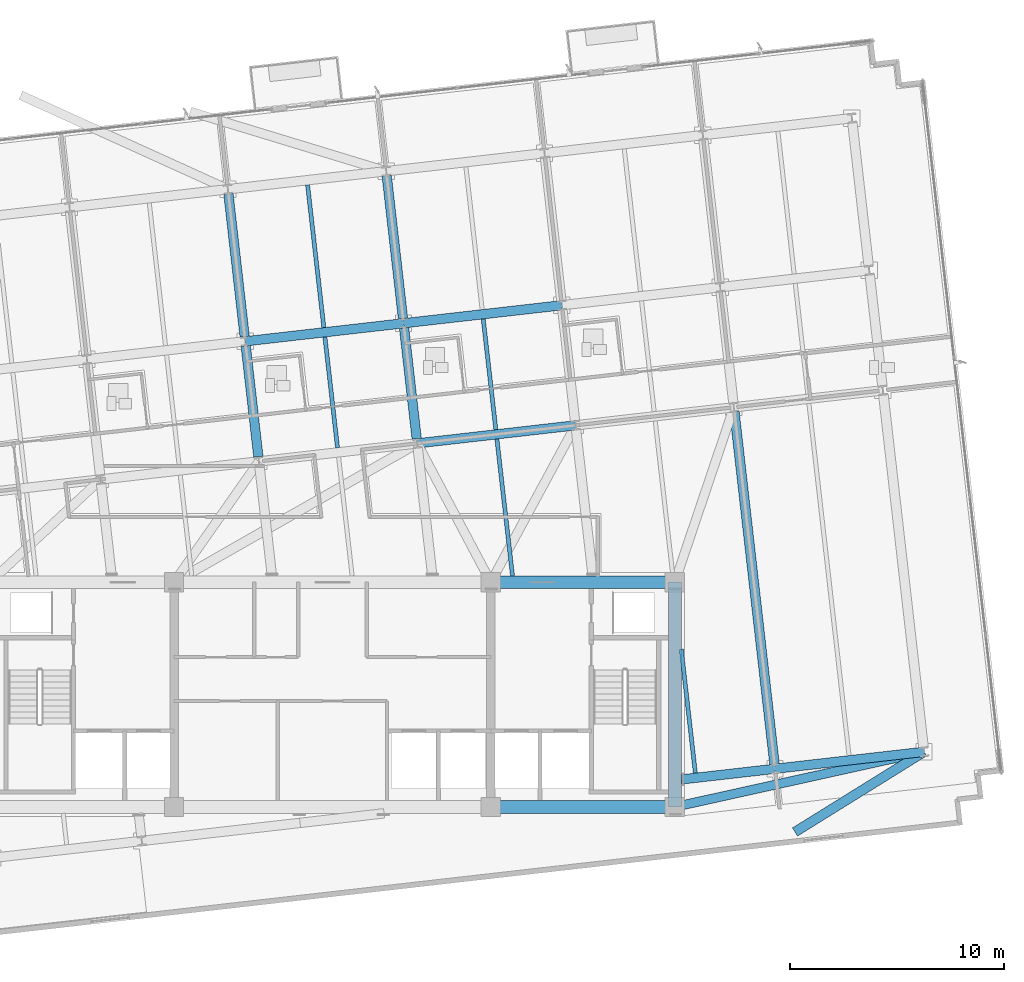
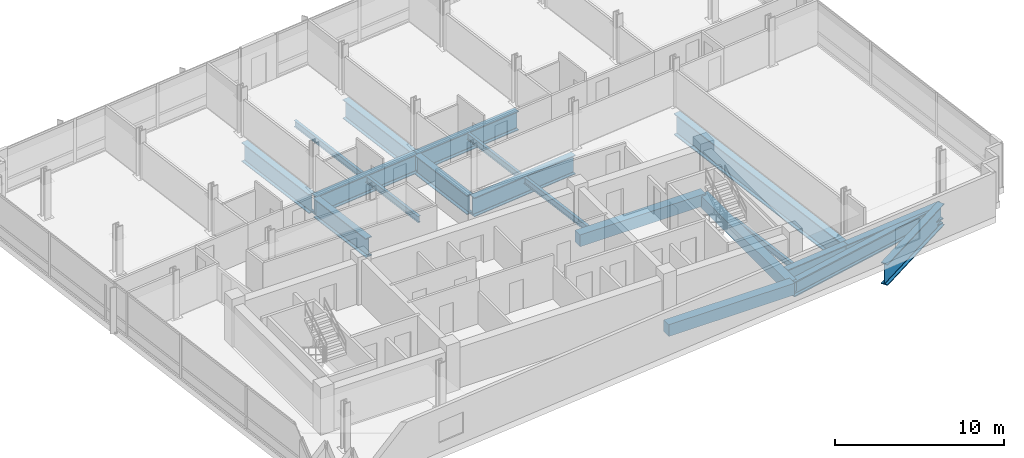
# One storey, part 3 of 15: 20 beams.
"""IFC4 building model written with IfcOpenShell, lengths in metres."""

from ifc_helpers import new_model, si_unit, direction, frame, origin, origin_2d, place, context, subcontext, project, spatial, rectangle, i_section, extrude, material, material_profile, profile_set, type_object, element, save


model = new_model("IFC4")

# Units and contexts
model_context = context("Model", 3, precision=1e-05, world=origin(), true_north=direction((0.0, 1.0)))
body_context = subcontext(model_context, "Body", "Model", "MODEL_VIEW")
ifc_project = project(units=[si_unit("LENGTHUNIT", "METRE"), si_unit("AREAUNIT", "SQUARE_METRE"), si_unit("VOLUMEUNIT", "CUBIC_METRE"), si_unit("PLANEANGLEUNIT", "RADIAN"), si_unit("MASSUNIT", "GRAM", prefix="KILO")], contexts=[model_context])

# Site, building, storey
site_placement = place(None, origin())
site = spatial("IfcSite", under=ifc_project, at=site_placement, CompositionType="ELEMENT")
building_placement = place(site_placement, origin())
building = spatial("IfcBuilding", under=site, at=building_placement, Name="Solmavex Isthmus Hotel", CompositionType="ELEMENT")
storey_placement = place(building_placement, frame((0.0, 0.0, 191.699951171875)))
storey = spatial("IfcBuildingStorey", under=building, at=storey_placement, Name="L51", CompositionType="ELEMENT", Elevation=191.699951171875)

# Beams
ifc_material_1 = material(Name="Steel ASTM A992 Grade 50", Category="steel")
ifc_material_profile_1 = material_profile(ifc_material_1, i_section(OverallWidth=0.1904296875, OverallDepth=0.456787109375, WebThickness=0.009033203125, FlangeThickness=0.014404296875, FilletRadius=0.0126953125, at=origin_2d()), Name="W18X50")
ifc_profile_set_1 = profile_set([ifc_material_profile_1], Name="Steel ASTM A992 Grade 50")
beam_type_1 = type_object("IfcBeamType", Name="BM-BJ-W18X50", PredefinedType="JOIST", material=ifc_profile_set_1)
beam_1_placement = place(storey_placement, frame((0.23828125, 3.78369140625, -0.678466796875), z_axis=(-0.113209451059, 0.993571145007, 0.0), x_axis=(-0.993571145007, -0.113209451059, 0.0)))
element("IfcBeam", 1, at=beam_1_placement, inside=storey, type_object=beam_type_1, Name="Secondary Floor Joist L51-J09", PredefinedType="JOIST", context=body_context, shape_type="SweptSolid", body=[
    extrude(i_section(OverallWidth=0.1904296875, OverallDepth=0.456787109375, WebThickness=0.009033203125, FlangeThickness=0.014404296875, FilletRadius=0.0126953125, at=origin_2d()), origin(), (0.0, 0.0, 1.0), 5.2080078125),
])
beam_2_placement = place(storey_placement, frame((-0.401123046875, 9.395263671875, -0.678466796875), z_axis=(-0.11319369562, 0.993572940086, 0.0), x_axis=(-0.993572940086, -0.11319369562, 0.0)))
element("IfcBeam", 2, at=beam_2_placement, inside=storey, type_object=beam_type_1, Name="Secondary Floor Joist L51-J10", PredefinedType="JOIST", context=body_context, shape_type="SweptSolid", body=[
    extrude(i_section(OverallWidth=0.1904296875, OverallDepth=0.456787109375, WebThickness=0.009033203125, FlangeThickness=0.014404296875, FilletRadius=0.0126953125, at=origin_2d()), origin(), (0.0, 0.0, 1.0), 6.712158203125),
])
beam_3_placement = place(storey_placement, frame((8.414306640625, -2.199951171875, -0.678466796875), z_axis=(-0.113210379389, 0.993571039231, 0.0), x_axis=(-0.993571039231, -0.113210379389, 0.0)))
element("IfcBeam", 3, at=beam_3_placement, inside=storey, type_object=beam_type_1, Name="Secondary Floor Joist L51-J11", PredefinedType="JOIST", context=body_context, shape_type="SweptSolid", body=[
    extrude(i_section(OverallWidth=0.1904296875, OverallDepth=0.456787109375, WebThickness=0.009033203125, FlangeThickness=0.014404296875, FilletRadius=0.0126953125, at=origin_2d()), origin(), (0.0, 0.0, 1.0), 6.4306640625),
])
beam_4_placement = place(storey_placement, frame((7.636474609375, 4.62646484375, -0.678466796875), z_axis=(-0.113209451059, 0.993571145007, 0.0), x_axis=(-0.993571145007, -0.113209451059, 0.0)))
element("IfcBeam", 4, at=beam_4_placement, inside=storey, type_object=beam_type_1, Name="Secondary Floor Joist L51-J12", PredefinedType="JOIST", context=body_context, shape_type="SweptSolid", body=[
    extrude(i_section(OverallWidth=0.1904296875, OverallDepth=0.456787109375, WebThickness=0.009033203125, FlangeThickness=0.014404296875, FilletRadius=0.0126953125, at=origin_2d()), origin(), (0.0, 0.0, 1.0), 5.2080078125),
])
beam_5_placement = place(storey_placement, frame((16.958984375, -11.42138671875, -0.678466796875), z_axis=(-0.113183493111, 0.993574102363, 0.0), x_axis=(-0.993574102363, -0.113183493111, 0.0)))
element("IfcBeam", 5, at=beam_5_placement, inside=storey, type_object=beam_type_1, Name="Secondary Floor Joist L51-J14", PredefinedType="JOIST", context=body_context, shape_type="SweptSolid", body=[
    extrude(i_section(OverallWidth=0.1904296875, OverallDepth=0.456787109375, WebThickness=0.009033203125, FlangeThickness=0.014404296875, FilletRadius=0.0126953125, at=origin_2d()), origin(), (0.0, 0.0, 1.0), 5.82177734375),
])
ifc_material_2 = material(Name="Concrete C50/60", Category="concrete")
ifc_material_profile_2 = material_profile(ifc_material_2, rectangle(XDim=0.60009765625, YDim=0.85009765625, at=origin_2d()), Name="RC600X850")
ifc_profile_set_2 = profile_set([ifc_material_profile_2], Name="Concrete C50/60")
beam_type_2 = type_object("IfcBeamType", Name="BM-CB-600X850", PredefinedType="BEAM", material=ifc_profile_set_2)
for number, where, z_axis, x_axis, name in (
    (6, (7.39990234375, -13.0, -0.875), (1.0, 0.0, 0.0), (0.0, 1.0, 0.0), "Core Coupling Beam L51-CB3"),
    (7, (7.39990234375, -2.5, -0.764892578125), (1.0, 0.0, 0.0), (0.0, 1.0, 0.0), "Core Coupling Beam L51-CB6"),
):
    element("IfcBeam", number, at=place(storey_placement, frame(where, z_axis=z_axis, x_axis=x_axis)), inside=storey, type_object=beam_type_2, Name=name, PredefinedType="BEAM", context=body_context, shape_type="SweptSolid", body=[
        extrude(rectangle(XDim=0.60009765625, YDim=0.85009765625, at=origin_2d()), origin(), (0.0, 0.0, 1.0), 8.60009765625),
    ])
beam_6_placement = place(storey_placement, frame((16.0, -13.0, -0.875), z_axis=(0.0, 1.0, 0.0), x_axis=(-1.0, 0.0, 0.0)))
element("IfcBeam", 8, at=beam_6_placement, inside=storey, type_object=beam_type_2, Name="Core Coupling Beam L51-CB8", PredefinedType="BEAM", context=body_context, shape_type="SweptSolid", body=[
    extrude(rectangle(XDim=0.60009765625, YDim=0.85009765625, at=origin_2d()), origin(), (0.0, 0.0, 1.0), 10.5),
])
ifc_material_3 = material(Name="Steel ASTM A572 Grade 50", Category="steel")
ifc_material_profile_3 = material_profile(ifc_material_3, i_section(OverallWidth=0.449951171875, OverallDepth=1.550048828125, WebThickness=0.031982421875, FlangeThickness=0.06494140625, FilletRadius=0.030517578125, at=origin_2d()), Name="I1550X450")
ifc_profile_set_3 = profile_set([ifc_material_profile_3], Name="Steel ASTM A572 Grade 50")
beam_type_3 = type_object("IfcBeamType", Name="BM-TB-G1550", PredefinedType="BEAM", material=ifc_profile_set_3)
beam_7_placement = place(storey_placement, frame((21.6162109375, -14.171875, -1.224853515625), z_axis=(0.849374913, 0.527789974484, 0.0), x_axis=(-0.527789974484, 0.849374913, 0.0)))
element("IfcBeam", 9, at=beam_7_placement, inside=storey, type_object=beam_type_3, Name="Core Outrigger Strut L50-OTK1", PredefinedType="BEAM", context=body_context, shape_type="SweptSolid", body=[
    extrude(i_section(OverallWidth=0.449951171875, OverallDepth=1.550048828125, WebThickness=0.031982421875, FlangeThickness=0.06494140625, FilletRadius=0.030517578125, at=origin_2d()), origin(), (0.0, 0.0, 1.0), 7.09912109375),
])
beam_8_placement = place(storey_placement, frame((20.658203125, -10.999755859375, -1.224853515625), z_axis=(-0.113209378959, 0.993571153222, 0.0), x_axis=(-0.993571153222, -0.113209378959, 0.0)))
element("IfcBeam", 10, at=beam_8_placement, inside=storey, type_object=beam_type_3, Name="Outrigger Collector Beam L51-VG40", PredefinedType="BEAM", context=body_context, shape_type="SweptSolid", body=[
    extrude(i_section(OverallWidth=0.449951171875, OverallDepth=1.550048828125, WebThickness=0.031982421875, FlangeThickness=0.06494140625, FilletRadius=0.030517578125, at=origin_2d()), origin(), (0.0, 0.0, 1.0), 16.56005859375),
])
ifc_material_4 = material(Name="Steel ASTM A913 Grade 65", Category="steel")
ifc_material_profile_4 = material_profile(ifc_material_4, i_section(OverallWidth=0.42431640625, OverallDepth=1.09228515625, WebThickness=0.04541015625, FlangeThickness=0.08203125, FilletRadius=0.030517578125, at=origin_2d()), Name="W40X593")
ifc_profile_set_4 = profile_set([ifc_material_profile_4], Name="Steel ASTM A913 Grade 65")
beam_type_4 = type_object("IfcBeamType", Name="BM-TB-W40X397", PredefinedType="BEAM", material=ifc_profile_set_4)
beam_9_placement = place(storey_placement, frame((16.0, -13.0, -0.99609375), z_axis=(0.97641816587, 0.215887853663, 0.0), x_axis=(-0.215887853663, 0.97641816587, 0.0)))
element("IfcBeam", 11, at=beam_9_placement, inside=storey, type_object=beam_type_4, Name="Core Outrigger Strut L50-OTSE", PredefinedType="BEAM", context=body_context, shape_type="SweptSolid", body=[
    extrude(i_section(OverallWidth=0.42431640625, OverallDepth=1.09228515625, WebThickness=0.04541015625, FlangeThickness=0.08203125, FilletRadius=0.030517578125, at=origin_2d()), origin(), (0.0, 0.0, 1.0), 11.92724609375),
])
ifc_material_profile_5 = material_profile(ifc_material_3, i_section(OverallWidth=0.43994140625, OverallDepth=1.3798828125, WebThickness=0.030029296875, FlangeThickness=0.054931640625, FilletRadius=0.030517578125, at=origin_2d()), Name="I1380X440")
ifc_profile_set_5 = profile_set([ifc_material_profile_5], Name="Steel ASTM A572 Grade 50")
beam_type_5 = type_object("IfcBeamType", Name="BM-TG-I1380", PredefinedType="BEAM", material=ifc_profile_set_5)
beam_10_placement = place(storey_placement, frame((16.300048828125, -11.7177734375, -1.139892578125), z_axis=(0.993574880398, 0.113176662976, 0.0), x_axis=(-0.113176662976, 0.993574880398, 0.0)))
element("IfcBeam", 12, at=beam_10_placement, inside=storey, type_object=beam_type_5, Name="Outrigger Collector Girder L51-UG04", PredefinedType="BEAM", context=body_context, shape_type="SweptSolid", body=[
    extrude(i_section(OverallWidth=0.43994140625, OverallDepth=1.3798828125, WebThickness=0.030029296875, FlangeThickness=0.054931640625, FilletRadius=0.030517578125, at=origin_2d()), origin(), (0.0, 0.0, 1.0), 4.411376953125),
])
beam_11_placement = place(storey_placement, frame((20.68310546875, -11.218505859375, -1.139892578125), z_axis=(0.993569675103, 0.113222350774, 0.0), x_axis=(-0.113222350774, 0.993569675103, 0.0)))
element("IfcBeam", 13, at=beam_11_placement, inside=storey, type_object=beam_type_5, Name="Outrigger Collector Girder L51-UG05", PredefinedType="BEAM", context=body_context, shape_type="SweptSolid", body=[
    extrude(i_section(OverallWidth=0.43994140625, OverallDepth=1.3798828125, WebThickness=0.030029296875, FlangeThickness=0.054931640625, FilletRadius=0.030517578125, at=origin_2d()), origin(), (0.0, 0.0, 1.0), 7.008056640625),
])
for number, where, z_axis, x_axis, name in (
    (14, (3.962158203125, 3.986572265625, -1.139892578125), (0.993574034044, 0.113184092846, 0.0), (-0.113184092846, 0.993574034044, 0.0), "Outrigger Collector Girder L51-UG09"),
    (15, (-4.0751953125, 8.75537109375, -1.139892578125), (0.993574034044, 0.113184092846, 0.0), (-0.113184092846, 0.993574034044, 0.0), "Outrigger Collector Girder L51-UG14"),
):
    element("IfcBeam", number, at=place(storey_placement, frame(where, z_axis=z_axis, x_axis=x_axis)), inside=storey, type_object=beam_type_5, Name=name, PredefinedType="BEAM", context=body_context, shape_type="SweptSolid", body=[
        extrude(i_section(OverallWidth=0.43994140625, OverallDepth=1.3798828125, WebThickness=0.030029296875, FlangeThickness=0.054931640625, FilletRadius=0.030517578125, at=origin_2d()), origin(), (0.0, 0.0, 1.0), 7.446044921875),
    ])
beam_12_placement = place(storey_placement, frame((3.322998046875, 9.59814453125, -1.139892578125), z_axis=(0.993569926006, 0.113220148984, 0.0), x_axis=(-0.113220148984, 0.993569926006, 0.0)))
element("IfcBeam", 16, at=beam_12_placement, inside=storey, type_object=beam_type_5, Name="Outrigger Collector Girder L51-UG15", PredefinedType="BEAM", context=body_context, shape_type="SweptSolid", body=[
    extrude(i_section(OverallWidth=0.43994140625, OverallDepth=1.3798828125, WebThickness=0.030029296875, FlangeThickness=0.054931640625, FilletRadius=0.030517578125, at=origin_2d()), origin(), (0.0, 0.0, 1.0), 7.44580078125),
])
beam_13_placement = place(storey_placement, frame((-3.460693359375, 3.362060546875, -1.139892578125), z_axis=(-0.113209451059, 0.993571145007, 0.0), x_axis=(-0.993571145007, -0.113209451059, 0.0)))
element("IfcBeam", 17, at=beam_13_placement, inside=storey, type_object=beam_type_5, Name="Outrigger Collector Beam L51-VG32", PredefinedType="BEAM", context=body_context, shape_type="SweptSolid", body=[
    extrude(i_section(OverallWidth=0.43994140625, OverallDepth=1.3798828125, WebThickness=0.030029296875, FlangeThickness=0.054931640625, FilletRadius=0.030517578125, at=origin_2d()), origin(), (0.0, 0.0, 1.0), 5.2080078125),
])
beam_14_placement = place(storey_placement, frame((-4.10009765625, 8.973876953125, -1.139892578125), z_axis=(-0.11319369562, 0.993572940086, 0.0), x_axis=(-0.993572940086, -0.11319369562, 0.0)))
element("IfcBeam", 18, at=beam_14_placement, inside=storey, type_object=beam_type_5, Name="Outrigger Collector Beam L51-VG33", PredefinedType="BEAM", context=body_context, shape_type="SweptSolid", body=[
    extrude(i_section(OverallWidth=0.43994140625, OverallDepth=1.3798828125, WebThickness=0.030029296875, FlangeThickness=0.054931640625, FilletRadius=0.030517578125, at=origin_2d()), origin(), (0.0, 0.0, 1.0), 6.712158203125),
])
beam_15_placement = place(storey_placement, frame((3.937255859375, 4.205078125, -1.139892578125), z_axis=(-0.113163173872, 0.993576416829, 0.0), x_axis=(-0.993576416829, -0.113163173872, 0.0)))
element("IfcBeam", 19, at=beam_15_placement, inside=storey, type_object=beam_type_5, Name="Outrigger Collector Beam L51-VG35", PredefinedType="BEAM", context=body_context, shape_type="SweptSolid", body=[
    extrude(i_section(OverallWidth=0.43994140625, OverallDepth=1.3798828125, WebThickness=0.030029296875, FlangeThickness=0.054931640625, FilletRadius=0.030517578125, at=origin_2d()), origin(), (0.0, 0.0, 1.0), 5.2080078125),
])
beam_16_placement = place(storey_placement, frame((3.298095703125, 9.81689453125, -1.139892578125), z_axis=(-0.113233694826, 0.993568382325, 0.0), x_axis=(-0.993568382325, -0.113233694826, 0.0)))
element("IfcBeam", 20, at=beam_16_placement, inside=storey, type_object=beam_type_5, Name="Outrigger Collector Beam L51-VG36", PredefinedType="BEAM", context=body_context, shape_type="SweptSolid", body=[
    extrude(i_section(OverallWidth=0.43994140625, OverallDepth=1.3798828125, WebThickness=0.030029296875, FlangeThickness=0.054931640625, FilletRadius=0.030517578125, at=origin_2d()), origin(), (0.0, 0.0, 1.0), 6.7119140625),
])

save(model, "model.ifc")
